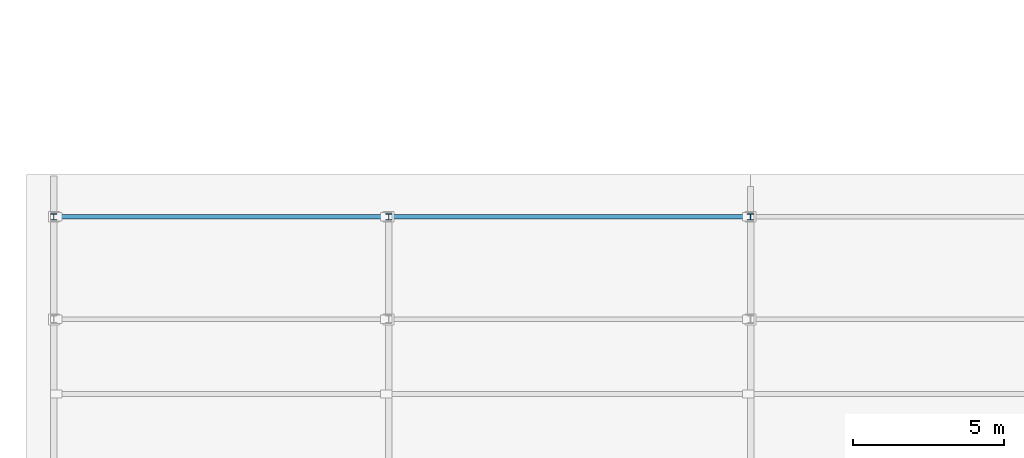
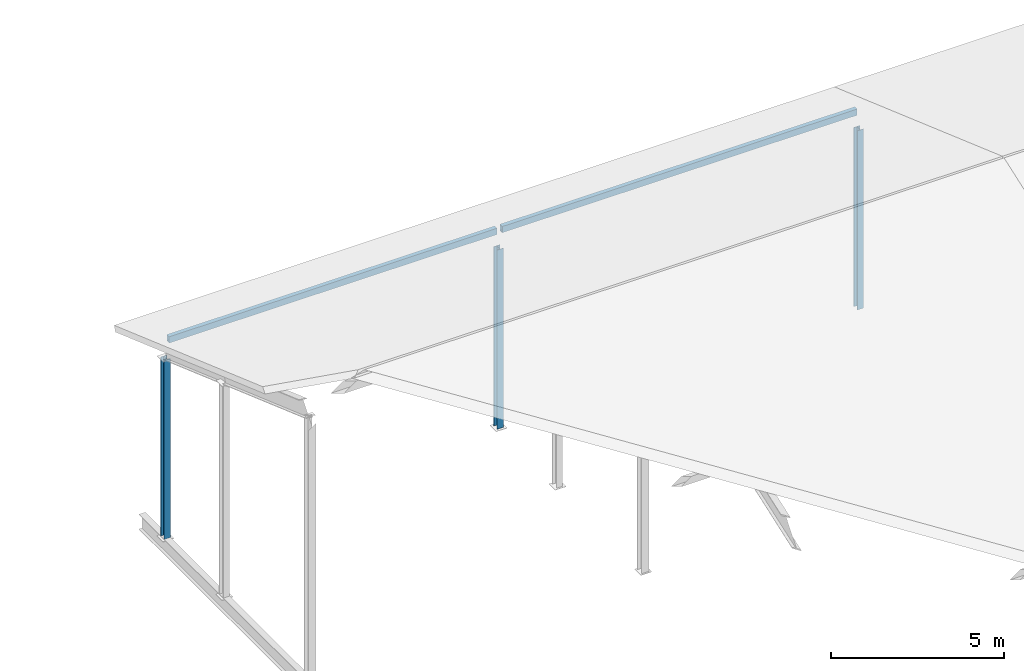
# One storey, part 11 of 42: 5 members.
"""IFC4 building model written with IfcOpenShell, lengths in metres."""

import ifcopenshell
import ifcopenshell.guid

model = None  # the IFC model being written
_history = None  # IfcOwnerHistory: only IFC2X3 demands one
_inside = {}  # id of a spatial element -> (the spatial element, [elements in it])
_under = {}  # id of a project, library or spatial element -> (it, [spatial elements below it])
_declared = {}  # id of a project -> (the project, [libraries it declares])
_typed = {}  # id of a type object -> (the type object, [elements of that type])
_made_of = {}  # id of a material, layer set ... -> (it, [elements and type objects made of it])


def new_model(schema):
    """Start an empty IFC model of exactly this schema.

    Asked for "IFC4X3", IfcOpenShell would pick the latest addendum, in which some entities
    have other attributes; the version numbers below select the first issue.
    IFC2X3 requires an IfcOwnerHistory on every rooted entity: one is made here for all.
    """
    global model, _history
    if schema == "IFC4X3":
        model = ifcopenshell.file(schema_version=(4, 3, 0, 0))
    else:
        model = ifcopenshell.file(schema=schema)
    _inside.clear()
    _under.clear()
    _declared.clear()
    _typed.clear()
    _made_of.clear()
    _history = None
    if model.schema == "IFC2X3":
        org = make("IfcOrganization", Name="unknown")
        user = make(
            "IfcPersonAndOrganization",
            ThePerson=make("IfcPerson", FamilyName="unknown"),
            TheOrganization=org,
        )
        app = make(
            "IfcApplication",
            ApplicationDeveloper=org,
            Version="unknown",
            ApplicationFullName="unknown",
            ApplicationIdentifier="unknown",
        )
        _history = make(
            "IfcOwnerHistory",
            OwningUser=user,
            OwningApplication=app,
            ChangeAction="ADDED",
            CreationDate=0,
        )
    return model


def make(cls, **values):
    """One entity of the class cls with the attributes given. An attribute that is None is left unset."""
    return model.create_entity(
        cls, **{name: value for name, value in values.items() if value is not None}
    )


def rooted(cls, **values):
    """An entity with a GlobalId (a new one), such as an element, a storey or a relation."""
    return make(cls, GlobalId=ifcopenshell.guid.new(), OwnerHistory=_history, **values)


def si_unit(unit_type, name, prefix=None):
    """IfcSIUnit, for example si_unit("LENGTHUNIT", "METRE", prefix="MILLI")."""
    return make("IfcSIUnit", UnitType=unit_type, Prefix=prefix, Name=name)


def assignment(units):
    """IfcUnitAssignment: the units of a project."""
    return None if units is None else make("IfcUnitAssignment", Units=units)


def point(xyz):
    """IfcCartesianPoint."""
    return None if xyz is None else make("IfcCartesianPoint", Coordinates=xyz)


def direction(xyz):
    """IfcDirection."""
    return None if xyz is None else make("IfcDirection", DirectionRatios=xyz)


def frame(location, z_axis=None, x_axis=None):
    """IfcAxis2Placement3D, a coordinate frame: its origin and axes. An axis left out is left unset."""
    return make(
        "IfcAxis2Placement3D",
        Location=point(location),
        Axis=direction(z_axis),
        RefDirection=direction(x_axis),
    )


def frame_2d(location, x_axis=None):
    """IfcAxis2Placement2D, a coordinate frame in the plane: its origin and x axis."""
    return make(
        "IfcAxis2Placement2D", Location=point(location), RefDirection=direction(x_axis)
    )


def origin():
    """The frame at (0, 0, 0) with its axes left unset."""
    return frame((0.0, 0.0, 0.0))


def origin_2d():
    """The frame at (0, 0) in the plane with its x axis left unset."""
    return frame_2d((0.0, 0.0))


def place(relative_to, where):
    """IfcLocalPlacement: puts the frame where relative to a parent placement (None: the world)."""
    return make(
        "IfcLocalPlacement", PlacementRelTo=relative_to, RelativePlacement=where
    )


def context(
    kind, dimensions, precision=None, world=None, true_north=None, identifier=None
):
    """IfcGeometricRepresentationContext, for example the 3D "Model" context."""
    return make(
        "IfcGeometricRepresentationContext",
        ContextIdentifier=identifier,
        ContextType=kind,
        CoordinateSpaceDimension=dimensions,
        Precision=precision,
        WorldCoordinateSystem=world,
        TrueNorth=true_north,
    )


def subcontext(parent, identifier, kind, view, scale=None):
    """IfcGeometricRepresentationSubContext, for example "Body" below "Model"."""
    return make(
        "IfcGeometricRepresentationSubContext",
        ContextIdentifier=identifier,
        ContextType=kind,
        ParentContext=parent,
        TargetScale=scale,
        TargetView=view,
    )


def project(units=None, contexts=None):
    """IfcProject with its units and contexts."""
    return rooted(
        "IfcProject",
        Name="project",
        RepresentationContexts=contexts,
        UnitsInContext=assignment(units),
    )


def spatial(cls, under=None, at=None, **own):
    """A site, building, storey or space (cls), placed at a placement, below another one or the project."""
    s = rooted(cls, ObjectPlacement=at, **own)
    if under is not None:
        _under.setdefault(under.id(), (under, []))[1].append(s)
    return s


def profile(cls, at=None, kind="AREA", **sizes):
    """A parametric profile (cls). Its sizes go by their IFC names, for example OverallWidth=200.0."""
    return make(cls, ProfileType=kind, Position=at, **sizes)


def hollow_rectangle(**sizes):
    """IfcRectangleHollowProfileDef."""
    return profile("IfcRectangleHollowProfileDef", **sizes)


def i_section(**sizes):
    """IfcIShapeProfileDef."""
    return profile("IfcIShapeProfileDef", **sizes)


def extrude(swept, where, along, depth):
    """IfcExtrudedAreaSolid: the profile swept, set in the frame where, extruded along a direction by depth."""
    return make(
        "IfcExtrudedAreaSolid",
        SweptArea=swept,
        Position=where,
        ExtrudedDirection=direction(along),
        Depth=depth,
    )


def shape(context_of_items, identifier, shape_type, items):
    """IfcShapeRepresentation: the items that make up one representation, for example the "Body"."""
    return make(
        "IfcShapeRepresentation",
        ContextOfItems=context_of_items,
        RepresentationIdentifier=identifier,
        RepresentationType=shape_type,
        Items=items,
    )


def material(Name=None, Category=None):
    """IfcMaterial."""
    return make("IfcMaterial", Name=Name, Category=Category)


def material_profile(
    of_material, cross_section, Name=None, Category=None, Priority=None
):
    """IfcMaterialProfile: a cross section and its material."""
    return make(
        "IfcMaterialProfile",
        Name=Name,
        Material=of_material,
        Profile=cross_section,
        Priority=Priority,
        Category=Category,
    )


def profile_set(profiles, Name=None, composite=None):
    """IfcMaterialProfileSet."""
    return make(
        "IfcMaterialProfileSet",
        Name=Name,
        MaterialProfiles=profiles,
        CompositeProfile=composite,
    )


def made_of(thing, what):
    """Note that an element or type object is made of a material, layer set ...; save() writes the relation."""
    if what is not None:
        _made_of.setdefault(what.id(), (what, []))[1].append(thing)
    return thing


def type_object(cls, material=None, **own):
    """A type object (cls), such as IfcWallType, which elements share."""
    return made_of(rooted(cls, **own), material)


def element(
    cls,
    number,
    at=None,
    inside=None,
    cuts=None,
    type_object=None,
    material=None,
    context=None,
    identifier="Body",
    shape_type=None,
    held_by="IfcProductDefinitionShape",
    body=None,
    shapes=None,
    **own,
):
    """One element of the class cls, such as IfcWall. Its Tag is "e" and its number.

    at: its placement. inside: the storey or other place that contains it. cuts: it is an
    opening in that element (IfcRelVoidsElement). A single representation is given by context,
    identifier, shape_type and body (its items); several are given by shapes. held_by: the class
    of the entity that holds the representations. save() writes the other relations.
    """
    e = rooted(cls, Tag="e%d" % number, ObjectPlacement=at, **own)
    if body is not None:
        shapes = [shape(context, identifier, shape_type, body)]
    if shapes is not None:
        e.Representation = make(held_by, Representations=shapes)
    if inside is not None:
        _inside.setdefault(inside.id(), (inside, []))[1].append(e)
    if cuts is not None:
        rooted(
            "IfcRelVoidsElement", RelatingBuildingElement=cuts, RelatedOpeningElement=e
        )
    if type_object is not None:
        _typed.setdefault(type_object.id(), (type_object, []))[1].append(e)
    return made_of(e, material)


def aggregate(whole, parts):
    """IfcRelAggregates: a whole, such as a stair, and the parts it consists of."""
    return rooted("IfcRelAggregates", RelatingObject=whole, RelatedObjects=parts)


def save(model, path):
    """Write the relations noted so far, then the file.

    IfcRelAggregates (storeys below a building ...), IfcRelContainedInSpatialStructure (elements
    in a storey), IfcRelDefinesByType, IfcRelAssociatesMaterial and IfcRelDeclares: one each for
    every whole, place, type object, material and project.
    """
    for whole, parts in _under.values():
        aggregate(whole, parts)
    for where, things in _inside.values():
        rooted(
            "IfcRelContainedInSpatialStructure",
            RelatedElements=things,
            RelatingStructure=where,
        )
    for kind, things in _typed.values():
        rooted("IfcRelDefinesByType", RelatedObjects=things, RelatingType=kind)
    for what, things in _made_of.values():
        rooted("IfcRelAssociatesMaterial", RelatedObjects=things, RelatingMaterial=what)
    for by, libraries in _declared.values():
        rooted("IfcRelDeclares", RelatingContext=by, RelatedDefinitions=libraries)
    model.write(path)


model = new_model("IFC4")

# Units and contexts
model_context = context("Model", 3, precision=1e-05, world=origin(), true_north=direction((0.0, 1.0)))
body_context = subcontext(model_context, "Body", "Model", "MODEL_VIEW")
ifc_project = project(units=[si_unit("LENGTHUNIT", "METRE"), si_unit("AREAUNIT", "SQUARE_METRE"), si_unit("VOLUMEUNIT", "CUBIC_METRE"), si_unit("PLANEANGLEUNIT", "RADIAN"), si_unit("MASSUNIT", "GRAM", prefix="KILO")], contexts=[model_context])

# Site, building, storey
site_placement = place(None, origin())
site = spatial("IfcSite", under=ifc_project, at=site_placement, CompositionType="ELEMENT")
building_placement = place(site_placement, origin())
building = spatial("IfcBuilding", under=site, at=building_placement, Name="Kelmvaro Bay Concert Hall", CompositionType="ELEMENT")
storey_placement = place(building_placement, frame((0.0, 0.0, 26.699951171875)))
storey = spatial("IfcBuildingStorey", under=building, at=storey_placement, Name="RF", CompositionType="ELEMENT", Elevation=26.699951171875)

# Members
ifc_material_1 = material(Name="Steel ASTM A992 Grade 50", Category="steel")
ifc_material_profile_1 = material_profile(ifc_material_1, i_section(OverallWidth=0.2041015625, OverallDepth=0.2060546875, WebThickness=0.0078125, FlangeThickness=0.0126953125, at=origin_2d()), Name="W8X35")
ifc_profile_set_1 = profile_set([ifc_material_profile_1], Name="Steel ASTM A992 Grade 50")
member_type_1 = type_object("IfcMemberType", Name="Crystal Eave Tie Strut W8x35", PredefinedType="STRUT", material=ifc_profile_set_1)
for number, where, z_axis, x_axis, name in (
    (1, (0.89990234375, 37.60009765625, -12.9150390625), (0.0, 0.0, 1.0), (1.0, 0.0, 0.0), "V3 Crystal Roof Post 005"),
    (2, (12.0, 37.60009765625, -12.9150390625), (0.0, 0.0, 1.0), (1.0, 0.0, 0.0), "V3 Crystal Roof Post 010"),
    (3, (24.0, 37.60009765625, -12.9150390625), (0.0, 0.0, 1.0), (1.0, 0.0, 0.0), "V3 Crystal Roof Post 015"),
):
    element("IfcMember", number, at=place(storey_placement, frame(where, z_axis=z_axis, x_axis=x_axis)), inside=storey, type_object=member_type_1, Name=name, PredefinedType="STRUT", context=body_context, shape_type="SweptSolid", body=[
        extrude(i_section(OverallWidth=0.2041015625, OverallDepth=0.2060546875, WebThickness=0.0078125, FlangeThickness=0.0126953125, at=origin_2d()), origin(), (0.0, 0.0, 1.0), 6.314453125),
    ])
ifc_material_2 = material(Name="Steel ASTM A500 Grade C", Category="steel")
ifc_material_profile_2 = material_profile(ifc_material_2, hollow_rectangle(XDim=0.139892578125, YDim=0.219970703125, WallThickness=0.010009765625, at=origin_2d()), Name="HSS220X140X10")
ifc_profile_set_2 = profile_set([ifc_material_profile_2], Name="Steel ASTM A500 Grade C")
member_type_2 = type_object("IfcMemberType", Name="Crystal Roof Eave Purlin HSS220x140x10", PredefinedType="PURLIN", material=ifc_profile_set_2)
member_1_placement = place(storey_placement, frame((0.985107421875, 37.60009765625, -5.965576171875), z_axis=(1.0, 0.0, 0.0), x_axis=(0.0, 1.0, 0.0)))
element("IfcMember", 4, at=member_1_placement, inside=storey, type_object=member_type_2, Name="V3 Crystal Roof Purlin 029", PredefinedType="PURLIN", context=body_context, shape_type="SweptSolid", body=[
    extrude(hollow_rectangle(XDim=0.139892578125, YDim=0.219970703125, WallThickness=0.010009765625, at=origin_2d()), origin(), (0.0, 0.0, 1.0), 10.929931640625),
])
member_2_placement = place(storey_placement, frame((12.0849609375, 37.60009765625, -5.965576171875), z_axis=(1.0, 0.0, 0.0), x_axis=(0.0, 1.0, 0.0)))
element("IfcMember", 5, at=member_2_placement, inside=storey, type_object=member_type_2, Name="V3 Crystal Roof Purlin 030", PredefinedType="PURLIN", context=body_context, shape_type="SweptSolid", body=[
    extrude(hollow_rectangle(XDim=0.139892578125, YDim=0.219970703125, WallThickness=0.010009765625, at=origin_2d()), origin(), (0.0, 0.0, 1.0), 11.830078125),
])

save(model, "model.ifc")
